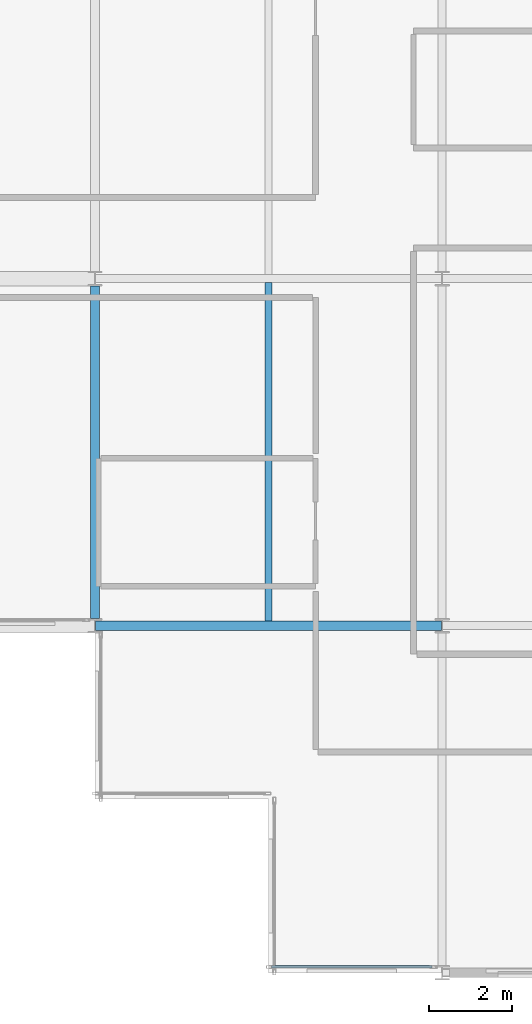
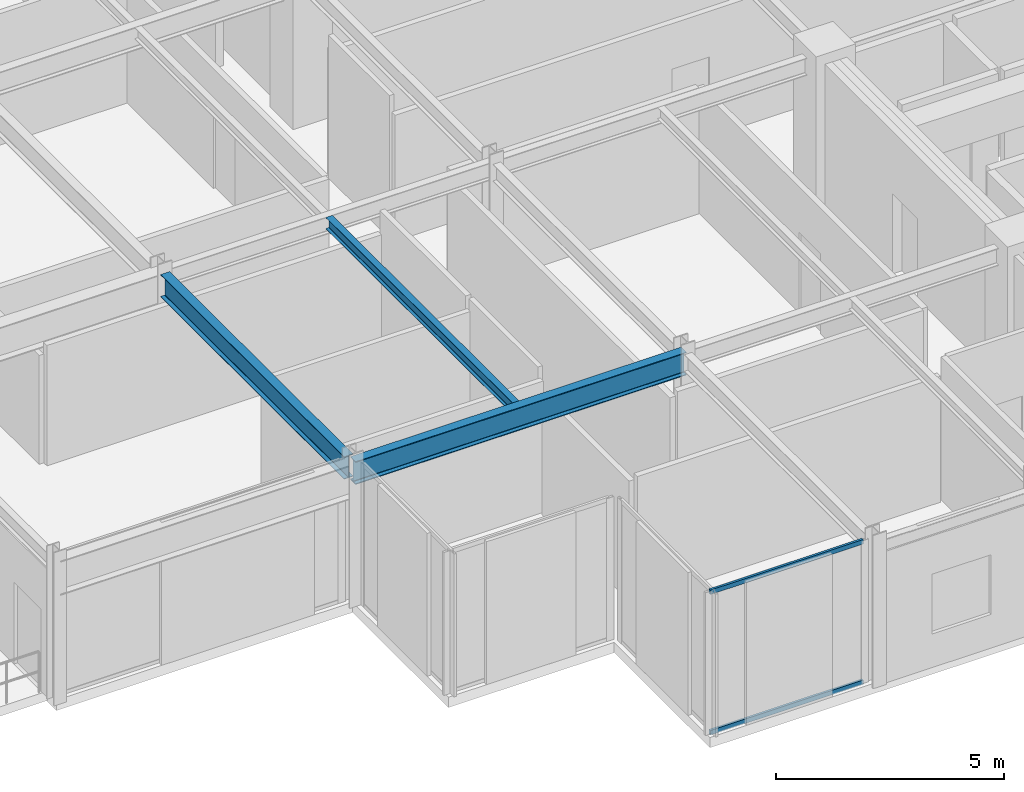
# One storey, part 5 of 29: 3 beams, 2 members, 1 element without a shape of its own.
"""IFC4 building model written with IfcOpenShell, lengths in metres."""

from ifc_helpers import new_model, si_unit, direction, frame, origin, origin_2d, place, context, subcontext, project, spatial, hollow_rectangle, i_section, extrude, material, layer, layer_set, material_profile, profile_set, type_object, element, aggregate, save


model = new_model("IFC4")

# Units and contexts
model_context = context("Model", 3, precision=1e-05, world=origin(), true_north=direction((0.0, 1.0)))
body_context = subcontext(model_context, "Body", "Model", "MODEL_VIEW")
ifc_project = project(units=[si_unit("LENGTHUNIT", "METRE"), si_unit("AREAUNIT", "SQUARE_METRE"), si_unit("VOLUMEUNIT", "CUBIC_METRE"), si_unit("PLANEANGLEUNIT", "RADIAN"), si_unit("MASSUNIT", "GRAM", prefix="KILO")], contexts=[model_context])

# Site, building, storey
site_placement = place(None, origin())
site = spatial("IfcSite", under=ifc_project, at=site_placement, CompositionType="ELEMENT")
building_placement = place(site_placement, origin())
building = spatial("IfcBuilding", under=site, at=building_placement, Name="Nerrivon Quay Data Exchange", CompositionType="ELEMENT")
storey_placement = place(building_placement, frame((0.0, 0.0, 208.300048828125)))
storey = spatial("IfcBuildingStorey", under=building, at=storey_placement, Name="L49", CompositionType="ELEMENT", Elevation=208.300048828125)

# Beams
ifc_material_1 = material(Name="Steel Grade 350", Category="steel")
ifc_material_profile_1 = material_profile(ifc_material_1, i_section(OverallWidth=0.22900390625, OverallDepth=0.612060546875, WebThickness=0.011962890625, FlangeThickness=0.01953125, FilletRadius=0.013916015625, at=origin_2d()), Name="610UB125")
ifc_profile_set_1 = profile_set([ifc_material_profile_1], Name="Steel Grade 350")
beam_type_1 = type_object("IfcBeamType", Name="BM-G1-610UB125", PredefinedType="BEAM", material=ifc_profile_set_1)
beam_1_placement = place(storey_placement, frame((0.010009765625, 8.39990234375, 3.51904296875), z_axis=(1.0, 0.0, 0.0), x_axis=(0.0, 1.0, 0.0)))
element("IfcBeam", 1, at=beam_1_placement, inside=storey, type_object=beam_type_1, Name="L49 EW Girder Y=8.4 (0.0..8.4)", PredefinedType="BEAM", context=body_context, shape_type="SweptSolid", body=[
    extrude(i_section(OverallWidth=0.22900390625, OverallDepth=0.612060546875, WebThickness=0.011962890625, FlangeThickness=0.01953125, FilletRadius=0.013916015625, at=origin_2d()), origin(), (0.0, 0.0, 1.0), 8.3798828125),
])
ifc_material_profile_2 = material_profile(ifc_material_1, i_section(OverallWidth=0.22802734375, OverallDepth=0.60205078125, WebThickness=0.010498046875, FlangeThickness=0.014892578125, FilletRadius=0.013916015625, at=origin_2d()), Name="610UB101")
ifc_profile_set_2 = profile_set([ifc_material_profile_2], Name="Steel Grade 350")
beam_type_2 = type_object("IfcBeamType", Name="BM-G2-610UB101", PredefinedType="BEAM", material=ifc_profile_set_2)
beam_2_placement = place(storey_placement, frame((0.0, 8.574951171875, 3.52392578125), z_axis=(0.0, 1.0, 0.0), x_axis=(-1.0, 0.0, 0.0)))
element("IfcBeam", 2, at=beam_2_placement, inside=storey, type_object=beam_type_2, Name="L49 NS Girder X=0.0 (8.4..16.8)", PredefinedType="BEAM", context=body_context, shape_type="SweptSolid", body=[
    extrude(i_section(OverallWidth=0.22802734375, OverallDepth=0.60205078125, WebThickness=0.010498046875, FlangeThickness=0.014892578125, FilletRadius=0.013916015625, at=origin_2d()), origin(), (0.0, 0.0, 1.0), 8.050048828125),
])
ifc_material_profile_3 = material_profile(ifc_material_1, i_section(OverallWidth=0.166015625, OverallDepth=0.306884765625, WebThickness=0.006591796875, FlangeThickness=0.01171875, FilletRadius=0.011474609375, at=origin_2d()), Name="310UB46.2")
ifc_profile_set_3 = profile_set([ifc_material_profile_3], Name="Steel Grade 350")
beam_type_3 = type_object("IfcBeamType", Name="BM-J5-310UB46", PredefinedType="JOIST", material=ifc_profile_set_3)
beam_3_placement = place(storey_placement, frame((4.199951171875, 8.514404296875, 3.67138671875), z_axis=(0.0, 1.0, 0.0), x_axis=(-1.0, 0.0, 0.0)))
element("IfcBeam", 3, at=beam_3_placement, inside=storey, type_object=beam_type_3, Name="L49 Secondary Joist X=4.2 (8.4..16.8)", PredefinedType="JOIST", context=body_context, shape_type="SweptSolid", body=[
    extrude(i_section(OverallWidth=0.166015625, OverallDepth=0.306884765625, WebThickness=0.006591796875, FlangeThickness=0.01171875, FilletRadius=0.011474609375, at=origin_2d()), origin(), (0.0, 0.0, 1.0), 8.190185546875),
])

# Curtain wall, members
ifc_material_2 = material(Name="Anodised aluminium 6063-T6", Category="aluminium")
ifc_layer = layer(ifc_material_2, 0.195068359375)
ifc_layer_set = layer_set([ifc_layer], Name="Anodised aluminium 6063-T6")
curtain_wall_type = type_object("IfcCurtainWallType", Name="CW-SYS-06", PredefinedType="NOTDEFINED", material=ifc_layer_set)
curtain_wall_placement = place(storey_placement, origin())
curtain_wall = element("IfcCurtainWall", 4, at=curtain_wall_placement, inside=storey, type_object=curtain_wall_type, Name="L49 Unitised Curtain Wall 28", PredefinedType="NOTDEFINED")
ifc_material_profile_4 = material_profile(ifc_material_2, hollow_rectangle(XDim=0.06005859375, YDim=0.1201171875, WallThickness=0.003173828125, at=origin_2d()), Name="ALU-TRAN-120x60")
ifc_profile_set_4 = profile_set([ifc_material_profile_4], Name="Anodised aluminium 6063-T6")
member_type = type_object("IfcMemberType", Name="CWT-120x60", PredefinedType="USERDEFINED", material=ifc_profile_set_4)
member_1_placement = place(storey_placement, frame((8.14990234375, 0.139892578125, 0.032470703125), z_axis=(-1.0, 0.0, 0.0), x_axis=(0.0, -1.0, 0.0)))
member_1 = element("IfcMember", 5, at=member_1_placement, type_object=member_type, Name="CW06 transom 1.1", ObjectType="TRANSOM", PredefinedType="USERDEFINED", context=body_context, shape_type="SweptSolid", body=[
    extrude(hollow_rectangle(XDim=0.06005859375, YDim=0.1201171875, WallThickness=0.003173828125, at=origin_2d()), origin(), (0.0, 0.0, 1.0), 3.875),
])
member_2_placement = place(storey_placement, frame((8.14990234375, 0.139892578125, 3.79248046875), z_axis=(-1.0, 0.0, 0.0), x_axis=(0.0, -1.0, 0.0)))
member_2 = element("IfcMember", 6, at=member_2_placement, type_object=member_type, Name="CW06 transom 1.2", ObjectType="TRANSOM", PredefinedType="USERDEFINED", context=body_context, shape_type="SweptSolid", body=[
    extrude(hollow_rectangle(XDim=0.06005859375, YDim=0.1201171875, WallThickness=0.003173828125, at=origin_2d()), origin(), (0.0, 0.0, 1.0), 3.875),
])
aggregate(curtain_wall, [member_1, member_2])

save(model, "model.ifc")
